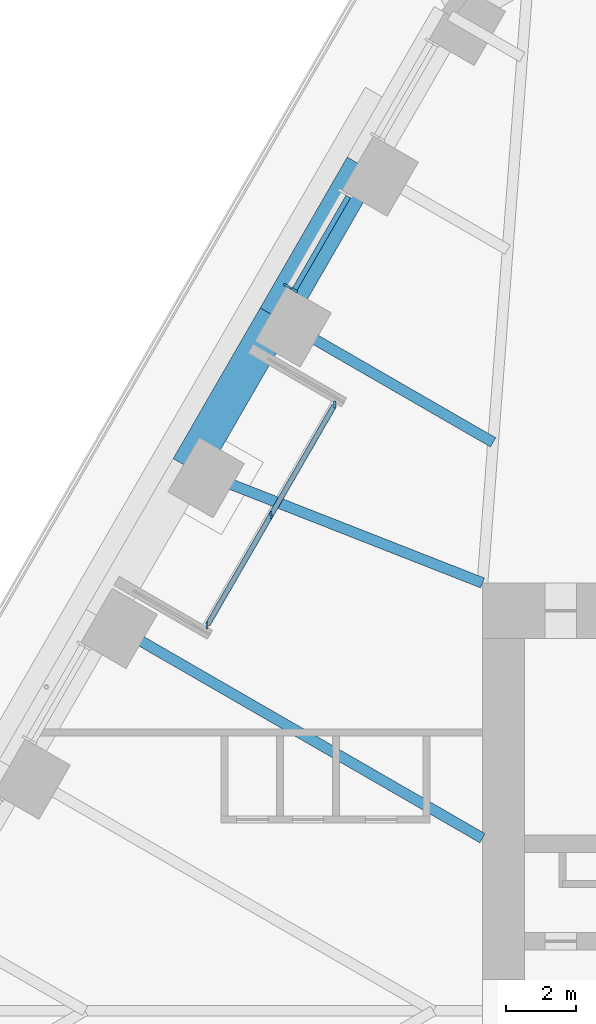
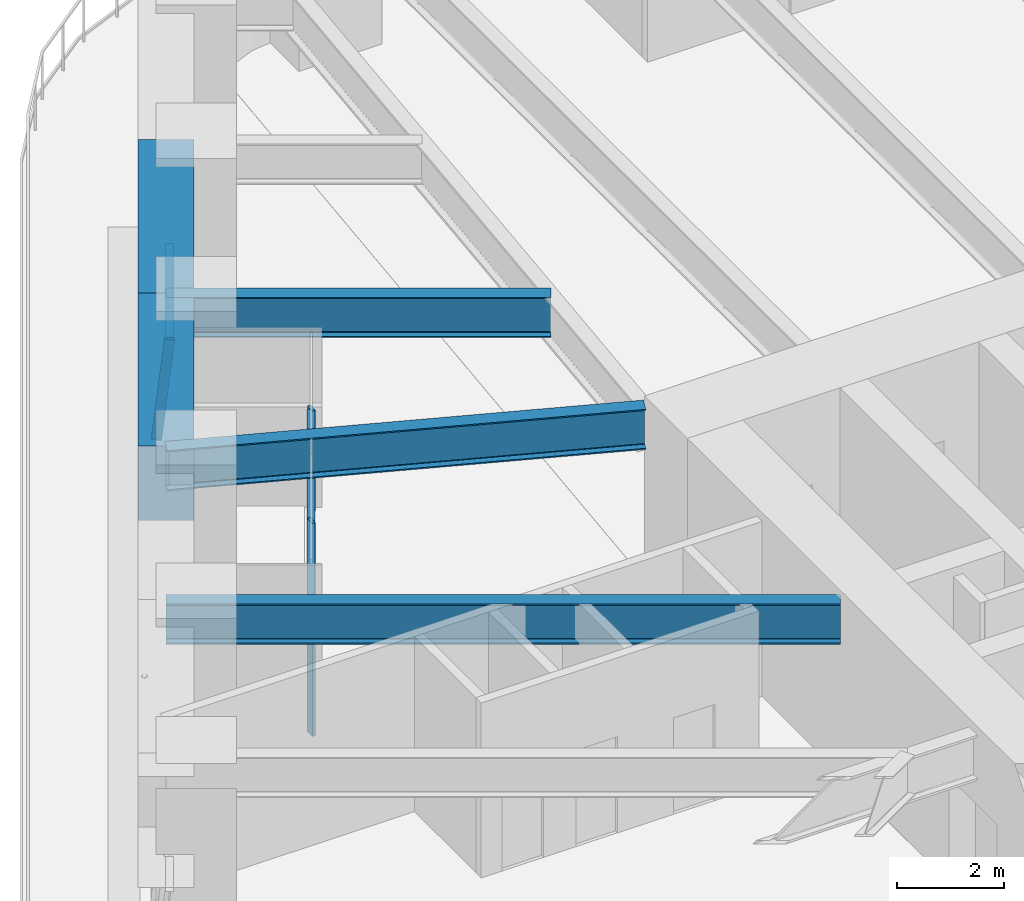
# One storey, part 8 of 24: 6 members, 5 beams, 2 elements without a shape of their own.
"""IFC4 building model written with IfcOpenShell, lengths in metres."""

from ifc_helpers import new_model, si_unit, direction, frame, origin, origin_2d, place, context, subcontext, project, spatial, rectangle, i_section, extrude, material, material_profile, profile_set, type_object, element, aggregate, save


model = new_model("IFC4")

# Units and contexts
model_context = context("Model", 3, precision=1e-05, world=origin(), true_north=direction((0.0, 1.0)))
body_context = subcontext(model_context, "Body", "Model", "MODEL_VIEW")
ifc_project = project(units=[si_unit("LENGTHUNIT", "METRE"), si_unit("AREAUNIT", "SQUARE_METRE"), si_unit("VOLUMEUNIT", "CUBIC_METRE"), si_unit("PLANEANGLEUNIT", "RADIAN"), si_unit("MASSUNIT", "GRAM", prefix="KILO")], contexts=[model_context])

# Site, building, storey
site_placement = place(None, origin())
site = spatial("IfcSite", under=ifc_project, at=site_placement, CompositionType="ELEMENT")
building_placement = place(site_placement, origin())
building = spatial("IfcBuilding", under=site, at=building_placement, Name="Tarfa Lantern Tower", CompositionType="ELEMENT")
storey_placement = place(building_placement, frame((0.0, 0.0, 132.10009765625)))
storey = spatial("IfcBuildingStorey", under=building, at=storey_placement, Name="L29", CompositionType="ELEMENT", Elevation=132.10009765625)

# Curtain wall, member
ifc_material_1 = material(Name="Aluminium framed curtain wall", Category="aluminium")
curtain_wall_type_1 = type_object("IfcCurtainWallType", Name="CW2 CANTED GLAZING MID ZONE 2300", PredefinedType="USERDEFINED", material=ifc_material_1)
curtain_wall_1_placement = place(storey_placement, origin())
curtain_wall_1 = element("IfcCurtainWall", 1, at=curtain_wall_1_placement, inside=storey, type_object=curtain_wall_type_1, Name="CW2 NW L29", ObjectType="CURTAIN WALL", PredefinedType="USERDEFINED")
ifc_material_2 = material(Name="Aluminium mullion", Category="aluminium")
ifc_material_profile_1 = material_profile(ifc_material_2, rectangle(XDim=0.06494140625, YDim=0.199951171875, at=origin_2d()), Name="AL MULLION 65x200")
ifc_profile_set_1 = profile_set([ifc_material_profile_1], Name="Aluminium mullion")
member_type_1 = type_object("IfcMemberType", Name="CWM1 MULLION 65x200", PredefinedType="MULLION", material=ifc_profile_set_1)
member_1_placement = place(storey_placement, frame((-24.22509765625, 20.8408203125, 0.0), z_axis=(0.093609724986, -0.054034023893, 0.994141611467), x_axis=(0.499919672301, 0.866071776036, 0.0)))
member_1 = element("IfcMember", 2, at=member_1_placement, type_object=member_type_1, Name="CW2 mullion 2", PredefinedType="MULLION", context=body_context, shape_type="SweptSolid", body=[
    extrude(rectangle(XDim=0.06494140625, YDim=0.199951171875, at=origin_2d()), origin(), (0.0, 0.0, 1.0), 2.3134765625),
])

# Curtain wall, members
curtain_wall_type_2 = type_object("IfcCurtainWallType", Name="CW10 LOGGIA GLAZING 2300", PredefinedType="USERDEFINED", material=ifc_material_1)
curtain_wall_2_placement = place(storey_placement, origin())
curtain_wall_2 = element("IfcCurtainWall", 3, at=curtain_wall_2_placement, inside=storey, type_object=curtain_wall_type_2, Name="CW10 NWL L29", ObjectType="CURTAIN WALL", PredefinedType="USERDEFINED")
member_2_placement = place(storey_placement, frame((-22.84619140625, 17.429443359375, 0.0), z_axis=(0.0, 0.0, 1.0), x_axis=(1.0, 0.0, 0.0)))
member_2 = element("IfcMember", 4, at=member_2_placement, type_object=member_type_1, Name="CW10 mullion 1", PredefinedType="MULLION", context=body_context, shape_type="SweptSolid", body=[
    extrude(rectangle(XDim=0.06494140625, YDim=0.199951171875, at=origin_2d()), origin(), (0.0, 0.0, 1.0), 2.2998046875),
])
member_3_placement = place(storey_placement, frame((-24.681640625, 14.25, 0.0), z_axis=(0.0, 0.0, 1.0), x_axis=(1.0, 0.0, 0.0)))
member_3 = element("IfcMember", 5, at=member_3_placement, type_object=member_type_1, Name="CW10 mullion 2", PredefinedType="MULLION", context=body_context, shape_type="SweptSolid", body=[
    extrude(rectangle(XDim=0.06494140625, YDim=0.199951171875, at=origin_2d()), origin(), (0.0, 0.0, 1.0), 2.2998046875),
])
member_4_placement = place(storey_placement, frame((-26.517333984375, 11.070556640625, 0.0), z_axis=(0.0, 0.0, 1.0), x_axis=(1.0, 0.0, 0.0)))
member_4 = element("IfcMember", 6, at=member_4_placement, type_object=member_type_1, Name="CW10 mullion 3", PredefinedType="MULLION", context=body_context, shape_type="SweptSolid", body=[
    extrude(rectangle(XDim=0.06494140625, YDim=0.199951171875, at=origin_2d()), origin(), (0.0, 0.0, 1.0), 2.2998046875),
])

# Member
ifc_material_3 = material(Name="Aluminium transom", Category="aluminium")
ifc_material_profile_2 = material_profile(ifc_material_3, rectangle(XDim=0.14990234375, YDim=0.06494140625, at=origin_2d()), Name="AL TRANSOM 150x65")
ifc_profile_set_2 = profile_set([ifc_material_profile_2], Name="Aluminium transom")
member_type_2 = type_object("IfcMemberType", Name="CWT1 TRANSOM 150x65", PredefinedType="USERDEFINED", material=ifc_profile_set_2)
member_5_placement = place(storey_placement, frame((-22.45849609375, 23.40771484375, 2.267333984375), z_axis=(-0.500008936691, -0.866020244122, 0.0), x_axis=(0.866020244122, -0.500008936691, 0.0)))
member_5 = element("IfcMember", 7, at=member_5_placement, type_object=member_type_2, Name="CW2 transom 1.2", ObjectType="TRANSOM", PredefinedType="USERDEFINED", context=body_context, shape_type="SweptSolid", body=[
    extrude(rectangle(XDim=0.14990234375, YDim=0.06494140625, at=origin_2d()), origin(), (0.0, 0.0, 1.0), 3.07373046875),
])

aggregate(curtain_wall_1, [member_1, member_5])

member_6_placement = place(storey_placement, frame((-22.8623046875, 17.401123046875, 2.267333984375), z_axis=(-0.500007048974, -0.866021334019, 0.0), x_axis=(0.866021334019, -0.500007048974, 0.0)))
member_6 = element("IfcMember", 8, at=member_6_placement, type_object=member_type_2, Name="CW10 transom 1.2", ObjectType="TRANSOM", PredefinedType="USERDEFINED", context=body_context, shape_type="SweptSolid", body=[
    extrude(rectangle(XDim=0.14990234375, YDim=0.06494140625, at=origin_2d()), origin(), (0.0, 0.0, 1.0), 7.27734375),
])

aggregate(curtain_wall_2, [member_2, member_3, member_4, member_6])

# Beams
ifc_material_4 = material(Name="Concrete C80/95", Category="concrete")
ifc_material_profile_3 = material_profile(ifc_material_4, rectangle(XDim=1.050048828125, YDim=1.699951171875, at=origin_2d()), Name="RC 1050x1700")
ifc_profile_set_3 = profile_set([ifc_material_profile_3], Name="Concrete C80/95")
beam_type_1 = type_object("IfcBeamType", Name="RB2 RC 1050x1700", PredefinedType="BEAM", material=ifc_profile_set_3)
for number, where, z_axis, x_axis, name in (
    (9, (-22.03369140625, 24.276611328125, 3.14990234375), (-0.49998573051, -0.866033642122, 0.0), (0.866033642122, -0.49998573051, 0.0), "Edge beam NW1"),
    (10, (-24.535400390625, 19.943359375, 3.14990234375), (-0.500022324899, -0.866012514114, 0.0), (0.866012514114, -0.500022324899, 0.0), "Edge beam NW2"),
):
    element("IfcBeam", number, at=place(storey_placement, frame(where, z_axis=z_axis, x_axis=x_axis)), inside=storey, type_object=beam_type_1, Name=name, PredefinedType="BEAM", context=body_context, shape_type="SweptSolid", body=[
        extrude(rectangle(XDim=1.050048828125, YDim=1.699951171875, at=origin_2d()), origin(), (0.0, 0.0, 1.0), 5.003662109375),
    ])
ifc_material_5 = material(Name="Steel S460M", Category="steel")
ifc_material_profile_4 = material_profile(ifc_material_5, i_section(OverallWidth=0.305419921875, OverallDepth=0.91845703125, WebThickness=0.017333984375, FlangeThickness=0.02783203125, FilletRadius=0.01904296875, at=origin_2d()), Name="UB914x305x253")
ifc_profile_set_4 = profile_set([ifc_material_profile_4], Name="Steel S460M")
beam_type_2 = type_object("IfcBeamType", Name="UB914x305x253", PredefinedType="BEAM", material=ifc_profile_set_4)
beam_1_placement = place(storey_placement, frame((-24.535400390625, 19.943359375, 3.540771484375), z_axis=(0.86602647304, -0.499998147991, 0.0), x_axis=(0.499998147991, 0.86602647304, 0.0)))
element("IfcBeam", 11, at=beam_1_placement, inside=storey, type_object=beam_type_2, Name="Floor beam NW2", PredefinedType="BEAM", context=body_context, shape_type="SweptSolid", body=[
    extrude(i_section(OverallWidth=0.305419921875, OverallDepth=0.91845703125, WebThickness=0.017333984375, FlangeThickness=0.02783203125, FilletRadius=0.01904296875, at=origin_2d()), origin(), (0.0, 0.0, 1.0), 7.20556640625),
])
beam_2_placement = place(storey_placement, frame((-27.037353515625, 15.610107421875, 3.540771484375), z_axis=(0.930923282782, -0.365214788274, 0.0), x_axis=(0.365214788274, 0.930923282782, 0.0)))
element("IfcBeam", 12, at=beam_2_placement, inside=storey, type_object=beam_type_2, Name="Floor beam NW3", PredefinedType="BEAM", context=body_context, shape_type="SweptSolid", body=[
    extrude(i_section(OverallWidth=0.305419921875, OverallDepth=0.91845703125, WebThickness=0.017333984375, FlangeThickness=0.02783203125, FilletRadius=0.01904296875, at=origin_2d()), origin(), (0.0, 0.0, 1.0), 9.063232421875),
])
beam_3_placement = place(storey_placement, frame((-29.5390625, 11.276611328125, 3.540771484375), z_axis=(0.866023362995, -0.500003534735, 0.0), x_axis=(0.500003534735, 0.866023362995, 0.0)))
element("IfcBeam", 13, at=beam_3_placement, inside=storey, type_object=beam_type_2, Name="Floor beam NW4", PredefinedType="BEAM", context=body_context, shape_type="SweptSolid", body=[
    extrude(i_section(OverallWidth=0.305419921875, OverallDepth=0.91845703125, WebThickness=0.017333984375, FlangeThickness=0.02783203125, FilletRadius=0.01904296875, at=origin_2d()), origin(), (0.0, 0.0, 1.0), 12.63134765625),
])

save(model, "model.ifc")
